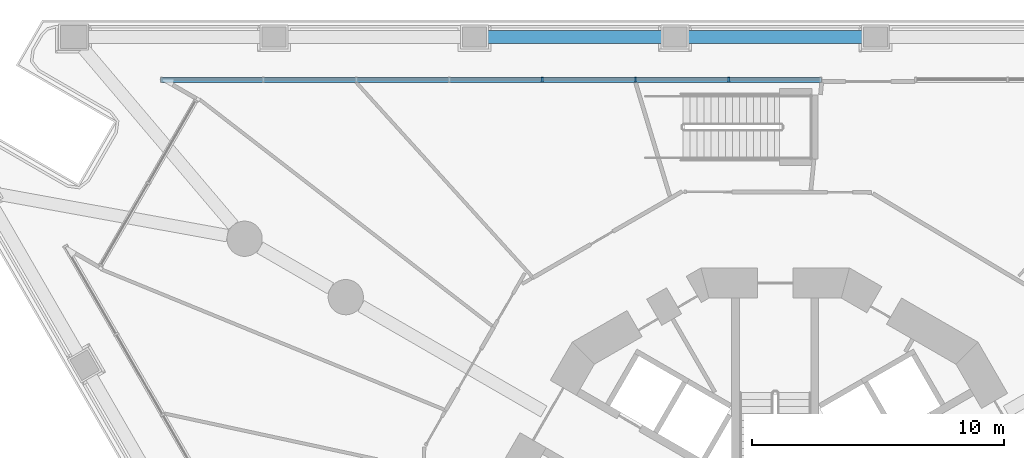
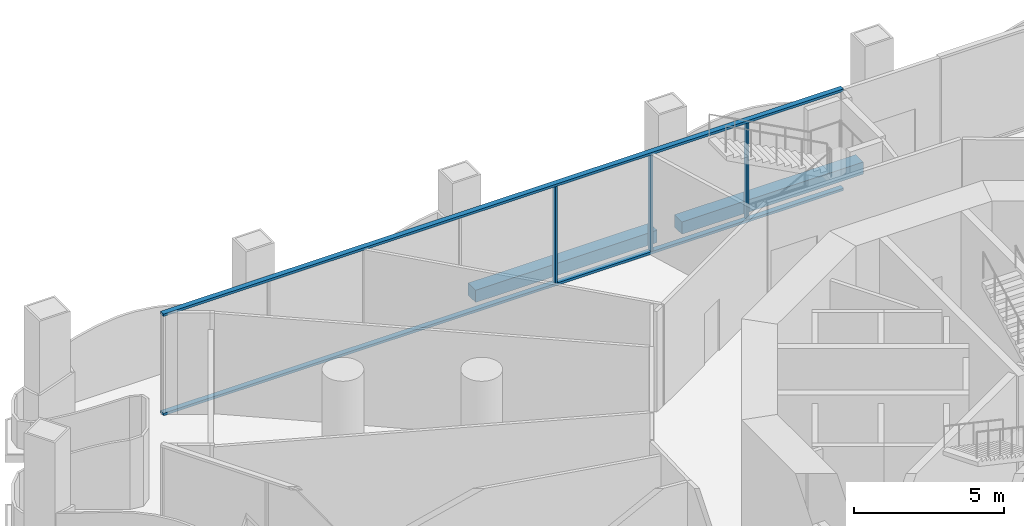
# One storey, part 6 of 22: 5 members, 2 beams, 1 element without a shape of its own.
"""IFC4 building model written with IfcOpenShell, lengths in metres."""

from ifc_helpers import new_model, si_unit, direction, frame, origin, origin_2d, place, context, subcontext, project, spatial, rectangle, extrude, material, layer, layer_set, material_profile, profile_set, type_object, element, aggregate, save


model = new_model("IFC4")

# Units and contexts
model_context = context("Model", 3, precision=1e-05, world=origin(), true_north=direction((0.0, 1.0)))
body_context = subcontext(model_context, "Body", "Model", "MODEL_VIEW")
ifc_project = project(units=[si_unit("LENGTHUNIT", "METRE"), si_unit("AREAUNIT", "SQUARE_METRE"), si_unit("VOLUMEUNIT", "CUBIC_METRE"), si_unit("PLANEANGLEUNIT", "RADIAN"), si_unit("MASSUNIT", "GRAM", prefix="KILO")], contexts=[model_context])

# Site, building, storey
site_placement = place(None, origin())
site = spatial("IfcSite", under=ifc_project, at=site_placement, CompositionType="ELEMENT")
building_placement = place(site_placement, origin())
building = spatial("IfcBuilding", under=site, at=building_placement, Name="Trine Commons Tower", CompositionType="ELEMENT")
storey_placement = place(building_placement, frame((0.0, 0.0, 22.5)))
storey = spatial("IfcBuildingStorey", under=building, at=storey_placement, Name="L04", CompositionType="ELEMENT", Elevation=22.5)

# Curtain wall, members
ifc_material_1 = material(Name="Podium glazing: anodised aluminium frame with low-emissivity double glazed unit", Category="aluminium")
ifc_layer = layer(ifc_material_1, 0.199951171875)
ifc_layer_set = layer_set([ifc_layer], Name="Podium glazing: anodised aluminium frame with low-emissivity double glazed unit")
curtain_wall_type = type_object("IfcCurtainWallType", Name="Podium glazing curtain wall CW3", PredefinedType="NOTDEFINED", material=ifc_layer_set)
curtain_wall_placement = place(storey_placement, origin())
curtain_wall = element("IfcCurtainWall", 1, at=curtain_wall_placement, inside=storey, type_object=curtain_wall_type, Name="Podium glazing L04 F1.1", PredefinedType="NOTDEFINED")
ifc_material_2 = material(Name="Anodised aluminium, bronze finish", Category="aluminium")
ifc_material_profile_1 = material_profile(ifc_material_2, rectangle(XDim=0.199951171875, YDim=0.074951171875, at=origin_2d()), Name="Mullion 75x200")
ifc_profile_set_1 = profile_set([ifc_material_profile_1], Name="Anodised aluminium, bronze finish")
member_type_1 = type_object("IfcMemberType", Name="Mullion 75x200, Anodised aluminium, bronze finish", PredefinedType="MULLION", material=ifc_profile_set_1)
member_1_placement = place(storey_placement, frame((70.75244140625, 80.984619140625, 0.10009765625), z_axis=(0.0, 0.0, 1.0), x_axis=(0.0, 1.0, 0.0)))
member_1 = element("IfcMember", 2, at=member_1_placement, type_object=member_type_1, Name="CW3 mullion 5.1", PredefinedType="MULLION", context=body_context, shape_type="SweptSolid", body=[
    extrude(rectangle(XDim=0.199951171875, YDim=0.074951171875, at=origin_2d()), origin(), (0.0, 0.0, 1.0), 3.949951171875),
])
member_2_placement = place(storey_placement, frame((74.451416015625, 80.984619140625, 0.10009765625), z_axis=(0.0, 0.0, 1.0), x_axis=(0.0, 1.0, 0.0)))
member_2 = element("IfcMember", 3, at=member_2_placement, type_object=member_type_1, Name="CW3 mullion 6.1", PredefinedType="MULLION", context=body_context, shape_type="SweptSolid", body=[
    extrude(rectangle(XDim=0.199951171875, YDim=0.074951171875, at=origin_2d()), origin(), (0.0, 0.0, 1.0), 3.949951171875),
])
member_3_placement = place(storey_placement, frame((78.150390625, 80.984619140625, 0.10009765625), z_axis=(0.0, 0.0, 1.0), x_axis=(0.0, 1.0, 0.0)))
member_3 = element("IfcMember", 4, at=member_3_placement, type_object=member_type_1, Name="CW3 mullion 7.1", PredefinedType="MULLION", context=body_context, shape_type="SweptSolid", body=[
    extrude(rectangle(XDim=0.199951171875, YDim=0.074951171875, at=origin_2d()), origin(), (0.0, 0.0, 1.0), 3.949951171875),
])

# Beams
ifc_material_3 = material(Name="Concrete C50/60", Category="concrete")
ifc_material_profile_2 = material_profile(ifc_material_3, rectangle(XDim=0.5, YDim=0.5, at=origin_2d()), Name="RC 500x500")
ifc_profile_set_2 = profile_set([ifc_material_profile_2], Name="Concrete C50/60")
beam_type = type_object("IfcBeamType", Name="RC beam 500x500, C50/60", PredefinedType="BEAM", material=ifc_profile_set_2)
beam_1_placement = place(storey_placement, frame((68.52978515625, 82.6845703125, -0.60009765625), z_axis=(1.0, 0.0, 0.0), x_axis=(0.0, 1.0, 0.0)))
element("IfcBeam", 5, at=beam_1_placement, inside=storey, type_object=beam_type, Name="Beam EB1-10 L04", PredefinedType="BEAM", context=body_context, shape_type="SweptSolid", body=[
    extrude(rectangle(XDim=0.5, YDim=0.5, at=origin_2d()), origin(), (0.0, 0.0, 1.0), 7.013427734375),
])
beam_2_placement = place(storey_placement, frame((76.493408203125, 82.6845703125, -0.60009765625), z_axis=(1.0, 0.0, 0.0), x_axis=(0.0, 1.0, 0.0)))
element("IfcBeam", 6, at=beam_2_placement, inside=storey, type_object=beam_type, Name="Beam EB1-11 L04", PredefinedType="BEAM", context=body_context, shape_type="SweptSolid", body=[
    extrude(rectangle(XDim=0.5, YDim=0.5, at=origin_2d()), origin(), (0.0, 0.0, 1.0), 7.01318359375),
])

# Member
ifc_material_profile_3 = material_profile(ifc_material_2, rectangle(XDim=0.199951171875, YDim=0.10009765625, at=origin_2d()), Name="Transom 100x200")
ifc_profile_set_3 = profile_set([ifc_material_profile_3], Name="Anodised aluminium, bronze finish")
member_type_2 = type_object("IfcMemberType", Name="Transom 100x200, Anodised aluminium, bronze finish", PredefinedType="USERDEFINED", material=ifc_profile_set_3)
member_4_placement = place(storey_placement, frame((55.583740234375, 80.984619140625, 0.050048828125), z_axis=(1.0, 0.0, 0.0), x_axis=(0.0, 1.0, 0.0)))
member_4 = element("IfcMember", 7, at=member_4_placement, type_object=member_type_2, Name="CW3 transom T00", ObjectType="TRANSOM", PredefinedType="USERDEFINED", context=body_context, shape_type="SweptSolid", body=[
    extrude(rectangle(XDim=0.199951171875, YDim=0.10009765625, at=origin_2d()), origin(), (0.0, 0.0, 1.0), 26.265380859375),
])

member_5_placement = place(storey_placement, frame((55.583740234375, 80.984619140625, 4.10009765625), z_axis=(1.0, 0.0, 0.0), x_axis=(0.0, 1.0, 0.0)))
member_5 = element("IfcMember", 8, at=member_5_placement, type_object=member_type_2, Name="CW3 transom TH00", ObjectType="TRANSOM", PredefinedType="USERDEFINED", context=body_context, shape_type="SweptSolid", body=[
    extrude(rectangle(XDim=0.199951171875, YDim=0.10009765625, at=origin_2d()), origin(), (0.0, 0.0, 1.0), 26.265380859375),
])

aggregate(curtain_wall, [member_4, member_5, member_1, member_2, member_3])

save(model, "model.ifc")
